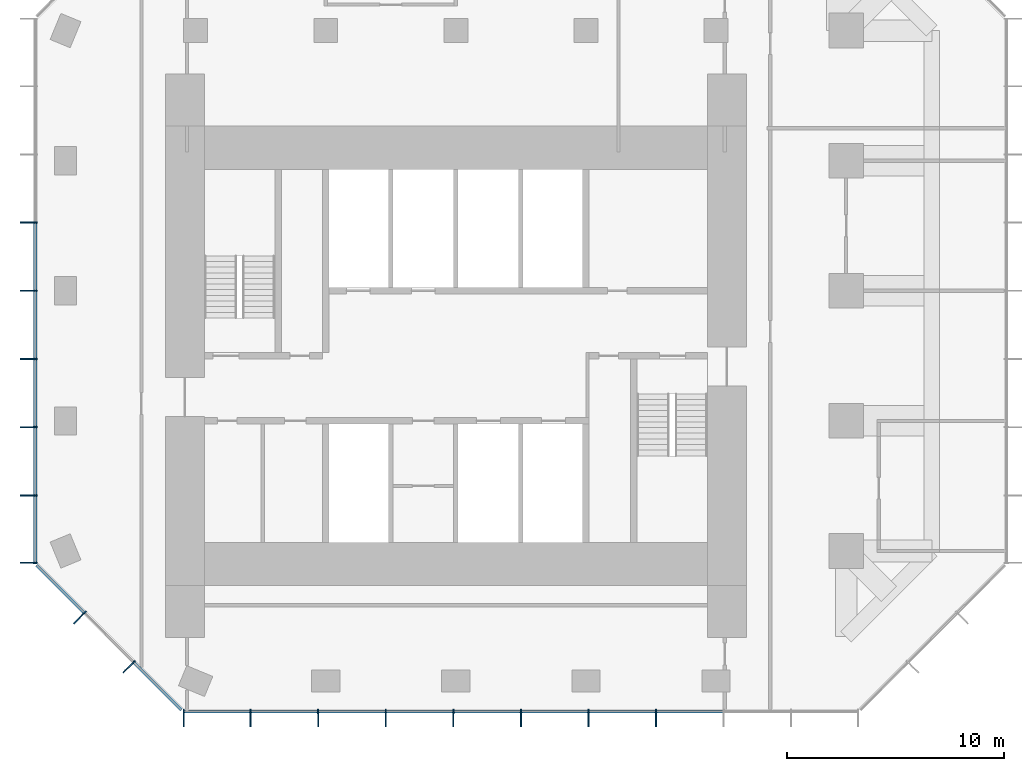
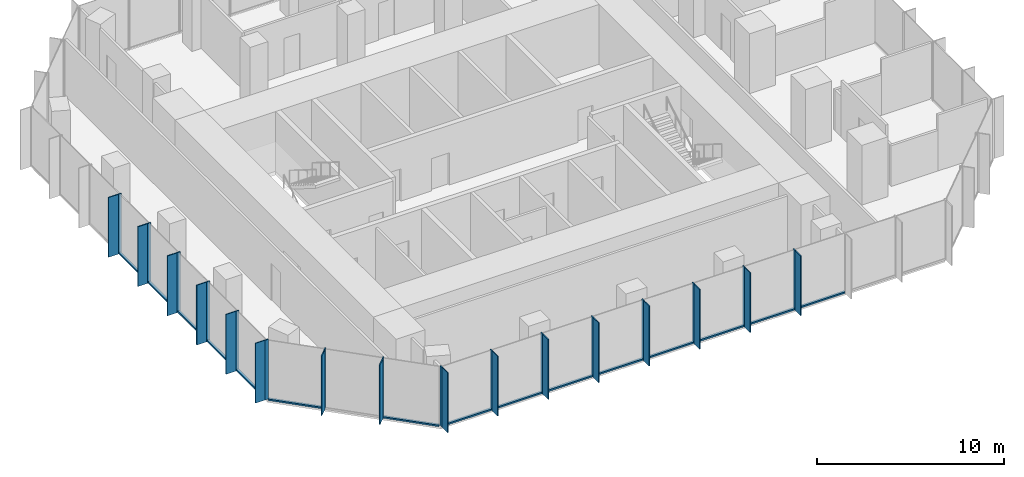
# One storey, part 2 of 10: 47 members, 3 elements without a shape of their own.
"""IFC4 building model written with IfcOpenShell, lengths in metres."""

from ifc_helpers import new_model, si_unit, direction, frame, origin, origin_2d, place, context, subcontext, project, spatial, rectangle, extrude, material, layer, layer_set, material_profile, profile_set, type_object, element, aggregate, save


model = new_model("IFC4")

# Units and contexts
model_context = context("Model", 3, precision=1e-05, world=origin(), true_north=direction((0.0, 1.0)))
body_context = subcontext(model_context, "Body", "Model", "MODEL_VIEW")
ifc_project = project(units=[si_unit("LENGTHUNIT", "METRE"), si_unit("AREAUNIT", "SQUARE_METRE"), si_unit("VOLUMEUNIT", "CUBIC_METRE"), si_unit("PLANEANGLEUNIT", "RADIAN"), si_unit("MASSUNIT", "GRAM", prefix="KILO")], contexts=[model_context])

# Site, building, storey
site_placement = place(None, origin())
site = spatial("IfcSite", under=ifc_project, at=site_placement, CompositionType="ELEMENT")
building_placement = place(site_placement, origin())
building = spatial("IfcBuilding", under=site, at=building_placement, Name="Highveld Stack Headquarters", CompositionType="ELEMENT")
storey_placement = place(building_placement, frame((0.0, 0.0, 252.800048828125)))
storey = spatial("IfcBuildingStorey", under=building, at=storey_placement, Name="L62", CompositionType="ELEMENT", Elevation=252.800048828125)

# Curtain wall, members
ifc_material_1 = material(Name="Aluminium bronze anodised", Category="aluminium")
ifc_layer = layer(ifc_material_1, 0.199951171875)
ifc_layer_set = layer_set([ifc_layer], Name="Aluminium bronze anodised")
curtain_wall_type = type_object("IfcCurtainWallType", Name="CW5 EXECUTIVE UNITISED CURTAIN WALL", PredefinedType="NOTDEFINED", material=ifc_layer_set)
curtain_wall_1_placement = place(storey_placement, origin())
curtain_wall_1 = element("IfcCurtainWall", 1, at=curtain_wall_1_placement, inside=storey, type_object=curtain_wall_type, Name="Curtain wall CW5 L62 S", PredefinedType="NOTDEFINED")
ifc_material_2 = material(Name="Aluminium bronze anodised", Category="aluminium")
ifc_material_profile_1 = material_profile(ifc_material_2, rectangle(XDim=0.60009765625, YDim=0.06005859375, at=origin_2d()), Name="FIN 600x60")
ifc_profile_set_1 = profile_set([ifc_material_profile_1], Name="Aluminium bronze anodised")
member_type_1 = type_object("IfcMemberType", Name="CW5 BRONZE FIN 600x60", PredefinedType="USERDEFINED", material=ifc_profile_set_1)
member_1_placement = place(storey_placement, frame((-6.54736328125, -13.800048828125, 0.0), z_axis=(0.0, 0.0, 1.0), x_axis=(0.0, 1.0, 0.0)))
member_1 = element("IfcMember", 2, at=member_1_placement, type_object=member_type_1, Name="CW5 fin L62 1", ObjectType="FIN", PredefinedType="USERDEFINED", context=body_context, shape_type="SweptSolid", body=[
    extrude(rectangle(XDim=0.60009765625, YDim=0.06005859375, at=origin_2d()), origin(), (0.0, 0.0, 1.0), 3.89990234375),
])
member_2_placement = place(storey_placement, frame((-3.4638671875, -13.800048828125, 0.0), z_axis=(0.0, 0.0, 1.0), x_axis=(0.0, 1.0, 0.0)))
member_2 = element("IfcMember", 3, at=member_2_placement, type_object=member_type_1, Name="CW5 fin L62 2", ObjectType="FIN", PredefinedType="USERDEFINED", context=body_context, shape_type="SweptSolid", body=[
    extrude(rectangle(XDim=0.60009765625, YDim=0.06005859375, at=origin_2d()), origin(), (0.0, 0.0, 1.0), 3.89990234375),
])
member_3_placement = place(storey_placement, frame((-0.347900390625, -13.800048828125, 0.0), z_axis=(0.0, 0.0, 1.0), x_axis=(0.0, 1.0, 0.0)))
member_3 = element("IfcMember", 4, at=member_3_placement, type_object=member_type_1, Name="CW5 fin L62 3", ObjectType="FIN", PredefinedType="USERDEFINED", context=body_context, shape_type="SweptSolid", body=[
    extrude(rectangle(XDim=0.60009765625, YDim=0.06005859375, at=origin_2d()), origin(), (0.0, 0.0, 1.0), 3.89990234375),
])
member_4_placement = place(storey_placement, frame((2.76806640625, -13.800048828125, 0.0), z_axis=(0.0, 0.0, 1.0), x_axis=(0.0, 1.0, 0.0)))
member_4 = element("IfcMember", 5, at=member_4_placement, type_object=member_type_1, Name="CW5 fin L62 4", ObjectType="FIN", PredefinedType="USERDEFINED", context=body_context, shape_type="SweptSolid", body=[
    extrude(rectangle(XDim=0.60009765625, YDim=0.06005859375, at=origin_2d()), origin(), (0.0, 0.0, 1.0), 3.89990234375),
])
member_5_placement = place(storey_placement, frame((5.884033203125, -13.800048828125, 0.0), z_axis=(0.0, 0.0, 1.0), x_axis=(0.0, 1.0, 0.0)))
member_5 = element("IfcMember", 6, at=member_5_placement, type_object=member_type_1, Name="CW5 fin L62 5", ObjectType="FIN", PredefinedType="USERDEFINED", context=body_context, shape_type="SweptSolid", body=[
    extrude(rectangle(XDim=0.60009765625, YDim=0.06005859375, at=origin_2d()), origin(), (0.0, 0.0, 1.0), 3.89990234375),
])
member_6_placement = place(storey_placement, frame((9.0, -13.800048828125, 0.0), z_axis=(0.0, 0.0, 1.0), x_axis=(0.0, 1.0, 0.0)))
member_6 = element("IfcMember", 7, at=member_6_placement, type_object=member_type_1, Name="CW5 fin L62 6", ObjectType="FIN", PredefinedType="USERDEFINED", context=body_context, shape_type="SweptSolid", body=[
    extrude(rectangle(XDim=0.60009765625, YDim=0.06005859375, at=origin_2d()), origin(), (0.0, 0.0, 1.0), 3.89990234375),
])
member_7_placement = place(storey_placement, frame((12.115966796875, -13.800048828125, 0.0), z_axis=(0.0, 0.0, 1.0), x_axis=(0.0, 1.0, 0.0)))
member_7 = element("IfcMember", 8, at=member_7_placement, type_object=member_type_1, Name="CW5 fin L62 7", ObjectType="FIN", PredefinedType="USERDEFINED", context=body_context, shape_type="SweptSolid", body=[
    extrude(rectangle(XDim=0.60009765625, YDim=0.06005859375, at=origin_2d()), origin(), (0.0, 0.0, 1.0), 3.89990234375),
])
member_8_placement = place(storey_placement, frame((15.23193359375, -13.800048828125, 0.0), z_axis=(0.0, 0.0, 1.0), x_axis=(0.0, 1.0, 0.0)))
member_8 = element("IfcMember", 9, at=member_8_placement, type_object=member_type_1, Name="CW5 fin L62 8", ObjectType="FIN", PredefinedType="USERDEFINED", context=body_context, shape_type="SweptSolid", body=[
    extrude(rectangle(XDim=0.60009765625, YDim=0.06005859375, at=origin_2d()), origin(), (0.0, 0.0, 1.0), 3.89990234375),
])

curtain_wall_2_placement = place(storey_placement, origin())
curtain_wall_2 = element("IfcCurtainWall", 10, at=curtain_wall_2_placement, inside=storey, type_object=curtain_wall_type, Name="Curtain wall CW5 L62 W", PredefinedType="NOTDEFINED")
member_9_placement = place(storey_placement, frame((-13.800048828125, 9.14501953125, 0.0), z_axis=(0.0, 0.0, 1.0), x_axis=(1.0, 0.0, 0.0)))
member_9 = element("IfcMember", 11, at=member_9_placement, type_object=member_type_1, Name="CW5 fin L62 4", ObjectType="FIN", PredefinedType="USERDEFINED", context=body_context, shape_type="SweptSolid", body=[
    extrude(rectangle(XDim=0.60009765625, YDim=0.06005859375, at=origin_2d()), origin(), (0.0, 0.0, 1.0), 3.89990234375),
])
member_10_placement = place(storey_placement, frame((-13.800048828125, 6.0, 0.0), z_axis=(0.0, 0.0, 1.0), x_axis=(1.0, 0.0, 0.0)))
member_10 = element("IfcMember", 12, at=member_10_placement, type_object=member_type_1, Name="CW5 fin L62 5", ObjectType="FIN", PredefinedType="USERDEFINED", context=body_context, shape_type="SweptSolid", body=[
    extrude(rectangle(XDim=0.60009765625, YDim=0.06005859375, at=origin_2d()), origin(), (0.0, 0.0, 1.0), 3.89990234375),
])
member_11_placement = place(storey_placement, frame((-13.800048828125, 2.85498046875, 0.0), z_axis=(0.0, 0.0, 1.0), x_axis=(1.0, 0.0, 0.0)))
member_11 = element("IfcMember", 13, at=member_11_placement, type_object=member_type_1, Name="CW5 fin L62 6", ObjectType="FIN", PredefinedType="USERDEFINED", context=body_context, shape_type="SweptSolid", body=[
    extrude(rectangle(XDim=0.60009765625, YDim=0.06005859375, at=origin_2d()), origin(), (0.0, 0.0, 1.0), 3.89990234375),
])
member_12_placement = place(storey_placement, frame((-13.800048828125, -0.2900390625, 0.0), z_axis=(0.0, 0.0, 1.0), x_axis=(1.0, 0.0, 0.0)))
member_12 = element("IfcMember", 14, at=member_12_placement, type_object=member_type_1, Name="CW5 fin L62 7", ObjectType="FIN", PredefinedType="USERDEFINED", context=body_context, shape_type="SweptSolid", body=[
    extrude(rectangle(XDim=0.60009765625, YDim=0.06005859375, at=origin_2d()), origin(), (0.0, 0.0, 1.0), 3.89990234375),
])
member_13_placement = place(storey_placement, frame((-13.800048828125, -3.434814453125, 0.0), z_axis=(0.0, 0.0, 1.0), x_axis=(1.0, 0.0, 0.0)))
member_13 = element("IfcMember", 15, at=member_13_placement, type_object=member_type_1, Name="CW5 fin L62 8", ObjectType="FIN", PredefinedType="USERDEFINED", context=body_context, shape_type="SweptSolid", body=[
    extrude(rectangle(XDim=0.60009765625, YDim=0.06005859375, at=origin_2d()), origin(), (0.0, 0.0, 1.0), 3.89990234375),
])
member_14_placement = place(storey_placement, frame((-13.800048828125, -6.54736328125, 0.0), z_axis=(0.0, 0.0, 1.0), x_axis=(1.0, 0.0, 0.0)))
member_14 = element("IfcMember", 16, at=member_14_placement, type_object=member_type_1, Name="CW5 fin L62 9", ObjectType="FIN", PredefinedType="USERDEFINED", context=body_context, shape_type="SweptSolid", body=[
    extrude(rectangle(XDim=0.60009765625, YDim=0.06005859375, at=origin_2d()), origin(), (0.0, 0.0, 1.0), 3.89990234375),
])

curtain_wall_3_placement = place(storey_placement, origin())
curtain_wall_3 = element("IfcCurtainWall", 17, at=curtain_wall_3_placement, inside=storey, type_object=curtain_wall_type, Name="Curtain wall CW5 L62 SW", PredefinedType="NOTDEFINED")
member_15_placement = place(storey_placement, frame((-11.409423828125, -9.135986328125, 0.0), z_axis=(0.0, 0.0, 1.0), x_axis=(0.707106781187, 0.707106781187, 0.0)))
member_15 = element("IfcMember", 18, at=member_15_placement, type_object=member_type_1, Name="CW5 fin L62 1", ObjectType="FIN", PredefinedType="USERDEFINED", context=body_context, shape_type="SweptSolid", body=[
    extrude(rectangle(XDim=0.60009765625, YDim=0.06005859375, at=origin_2d()), origin(), (0.0, 0.0, 1.0), 3.89990234375),
])
member_16_placement = place(storey_placement, frame((-9.135986328125, -11.409423828125, 0.0), z_axis=(0.0, 0.0, 1.0), x_axis=(0.707106781187, 0.707106781187, 0.0)))
member_16 = element("IfcMember", 19, at=member_16_placement, type_object=member_type_1, Name="CW5 fin L62 2", ObjectType="FIN", PredefinedType="USERDEFINED", context=body_context, shape_type="SweptSolid", body=[
    extrude(rectangle(XDim=0.60009765625, YDim=0.06005859375, at=origin_2d()), origin(), (0.0, 0.0, 1.0), 3.89990234375),
])

# Member
ifc_material_3 = material(Name="Aluminium bronze anodised", Category="aluminium")
ifc_material_profile_2 = material_profile(ifc_material_3, rectangle(XDim=0.199951171875, YDim=0.06494140625, at=origin_2d()), Name="CW5 MULLION 65x200")
ifc_profile_set_2 = profile_set([ifc_material_profile_2], Name="Aluminium bronze anodised")
member_type_2 = type_object("IfcMemberType", Name="CW5 MULLION 65x200", PredefinedType="MULLION", material=ifc_profile_set_2)
member_17_placement = place(storey_placement, frame((-6.54736328125, -13.39990234375, 0.0), z_axis=(0.0, 0.0, 1.0), x_axis=(0.0, 1.0, 0.0)))
member_17 = element("IfcMember", 20, at=member_17_placement, type_object=member_type_2, Name="CW5 mullion L62 1", PredefinedType="MULLION", context=body_context, shape_type="SweptSolid", body=[
    extrude(rectangle(XDim=0.199951171875, YDim=0.06494140625, at=origin_2d()), origin(), (0.0, 0.0, 1.0), 3.89990234375),
])

member_18_placement = place(storey_placement, frame((-3.4638671875, -13.39990234375, 0.0), z_axis=(0.0, 0.0, 1.0), x_axis=(0.0, 1.0, 0.0)))
member_18 = element("IfcMember", 21, at=member_18_placement, type_object=member_type_2, Name="CW5 mullion L62 2", PredefinedType="MULLION", context=body_context, shape_type="SweptSolid", body=[
    extrude(rectangle(XDim=0.199951171875, YDim=0.06494140625, at=origin_2d()), origin(), (0.0, 0.0, 1.0), 3.89990234375),
])

member_19_placement = place(storey_placement, frame((-0.347900390625, -13.39990234375, 0.0), z_axis=(0.0, 0.0, 1.0), x_axis=(0.0, 1.0, 0.0)))
member_19 = element("IfcMember", 22, at=member_19_placement, type_object=member_type_2, Name="CW5 mullion L62 3", PredefinedType="MULLION", context=body_context, shape_type="SweptSolid", body=[
    extrude(rectangle(XDim=0.199951171875, YDim=0.06494140625, at=origin_2d()), origin(), (0.0, 0.0, 1.0), 3.89990234375),
])

member_20_placement = place(storey_placement, frame((2.76806640625, -13.39990234375, 0.0), z_axis=(0.0, 0.0, 1.0), x_axis=(0.0, 1.0, 0.0)))
member_20 = element("IfcMember", 23, at=member_20_placement, type_object=member_type_2, Name="CW5 mullion L62 4", PredefinedType="MULLION", context=body_context, shape_type="SweptSolid", body=[
    extrude(rectangle(XDim=0.199951171875, YDim=0.06494140625, at=origin_2d()), origin(), (0.0, 0.0, 1.0), 3.89990234375),
])

member_21_placement = place(storey_placement, frame((5.884033203125, -13.39990234375, 0.0), z_axis=(0.0, 0.0, 1.0), x_axis=(0.0, 1.0, 0.0)))
member_21 = element("IfcMember", 24, at=member_21_placement, type_object=member_type_2, Name="CW5 mullion L62 5", PredefinedType="MULLION", context=body_context, shape_type="SweptSolid", body=[
    extrude(rectangle(XDim=0.199951171875, YDim=0.06494140625, at=origin_2d()), origin(), (0.0, 0.0, 1.0), 3.89990234375),
])

member_22_placement = place(storey_placement, frame((9.0, -13.39990234375, 0.0), z_axis=(0.0, 0.0, 1.0), x_axis=(0.0, 1.0, 0.0)))
member_22 = element("IfcMember", 25, at=member_22_placement, type_object=member_type_2, Name="CW5 mullion L62 6", PredefinedType="MULLION", context=body_context, shape_type="SweptSolid", body=[
    extrude(rectangle(XDim=0.199951171875, YDim=0.06494140625, at=origin_2d()), origin(), (0.0, 0.0, 1.0), 3.89990234375),
])

member_23_placement = place(storey_placement, frame((12.115966796875, -13.39990234375, 0.0), z_axis=(0.0, 0.0, 1.0), x_axis=(0.0, 1.0, 0.0)))
member_23 = element("IfcMember", 26, at=member_23_placement, type_object=member_type_2, Name="CW5 mullion L62 7", PredefinedType="MULLION", context=body_context, shape_type="SweptSolid", body=[
    extrude(rectangle(XDim=0.199951171875, YDim=0.06494140625, at=origin_2d()), origin(), (0.0, 0.0, 1.0), 3.89990234375),
])

member_24_placement = place(storey_placement, frame((15.23193359375, -13.39990234375, 0.0), z_axis=(0.0, 0.0, 1.0), x_axis=(0.0, 1.0, 0.0)))
member_24 = element("IfcMember", 27, at=member_24_placement, type_object=member_type_2, Name="CW5 mullion L62 8", PredefinedType="MULLION", context=body_context, shape_type="SweptSolid", body=[
    extrude(rectangle(XDim=0.199951171875, YDim=0.06494140625, at=origin_2d()), origin(), (0.0, 0.0, 1.0), 3.89990234375),
])

member_25_placement = place(storey_placement, frame((-13.39990234375, 9.14501953125, 0.0), z_axis=(0.0, 0.0, 1.0), x_axis=(1.0, 0.0, 0.0)))
member_25 = element("IfcMember", 28, at=member_25_placement, type_object=member_type_2, Name="CW5 mullion L62 4", PredefinedType="MULLION", context=body_context, shape_type="SweptSolid", body=[
    extrude(rectangle(XDim=0.199951171875, YDim=0.06494140625, at=origin_2d()), origin(), (0.0, 0.0, 1.0), 3.89990234375),
])

member_26_placement = place(storey_placement, frame((-13.39990234375, 6.0, 0.0), z_axis=(0.0, 0.0, 1.0), x_axis=(1.0, 0.0, 0.0)))
member_26 = element("IfcMember", 29, at=member_26_placement, type_object=member_type_2, Name="CW5 mullion L62 5", PredefinedType="MULLION", context=body_context, shape_type="SweptSolid", body=[
    extrude(rectangle(XDim=0.199951171875, YDim=0.06494140625, at=origin_2d()), origin(), (0.0, 0.0, 1.0), 3.89990234375),
])

member_27_placement = place(storey_placement, frame((-13.39990234375, 2.85498046875, 0.0), z_axis=(0.0, 0.0, 1.0), x_axis=(1.0, 0.0, 0.0)))
member_27 = element("IfcMember", 30, at=member_27_placement, type_object=member_type_2, Name="CW5 mullion L62 6", PredefinedType="MULLION", context=body_context, shape_type="SweptSolid", body=[
    extrude(rectangle(XDim=0.199951171875, YDim=0.06494140625, at=origin_2d()), origin(), (0.0, 0.0, 1.0), 3.89990234375),
])

member_28_placement = place(storey_placement, frame((-13.39990234375, -0.2900390625, 0.0), z_axis=(0.0, 0.0, 1.0), x_axis=(1.0, 0.0, 0.0)))
member_28 = element("IfcMember", 31, at=member_28_placement, type_object=member_type_2, Name="CW5 mullion L62 7", PredefinedType="MULLION", context=body_context, shape_type="SweptSolid", body=[
    extrude(rectangle(XDim=0.199951171875, YDim=0.06494140625, at=origin_2d()), origin(), (0.0, 0.0, 1.0), 3.89990234375),
])

member_29_placement = place(storey_placement, frame((-13.39990234375, -3.434814453125, 0.0), z_axis=(0.0, 0.0, 1.0), x_axis=(1.0, 0.0, 0.0)))
member_29 = element("IfcMember", 32, at=member_29_placement, type_object=member_type_2, Name="CW5 mullion L62 8", PredefinedType="MULLION", context=body_context, shape_type="SweptSolid", body=[
    extrude(rectangle(XDim=0.199951171875, YDim=0.06494140625, at=origin_2d()), origin(), (0.0, 0.0, 1.0), 3.89990234375),
])

member_30_placement = place(storey_placement, frame((-13.39990234375, -6.54736328125, 0.0), z_axis=(0.0, 0.0, 1.0), x_axis=(1.0, 0.0, 0.0)))
member_30 = element("IfcMember", 33, at=member_30_placement, type_object=member_type_2, Name="CW5 mullion L62 9", PredefinedType="MULLION", context=body_context, shape_type="SweptSolid", body=[
    extrude(rectangle(XDim=0.199951171875, YDim=0.06494140625, at=origin_2d()), origin(), (0.0, 0.0, 1.0), 3.89990234375),
])

member_31_placement = place(storey_placement, frame((-11.126708984375, -8.853271484375, 0.0), z_axis=(0.0, 0.0, 1.0), x_axis=(0.707106781187, 0.707106781187, 0.0)))
member_31 = element("IfcMember", 34, at=member_31_placement, type_object=member_type_2, Name="CW5 mullion L62 1", PredefinedType="MULLION", context=body_context, shape_type="SweptSolid", body=[
    extrude(rectangle(XDim=0.199951171875, YDim=0.06494140625, at=origin_2d()), origin(), (0.0, 0.0, 1.0), 3.89990234375),
])

member_32_placement = place(storey_placement, frame((-8.853271484375, -11.126708984375, 0.0), z_axis=(0.0, 0.0, 1.0), x_axis=(0.707106781187, 0.707106781187, 0.0)))
member_32 = element("IfcMember", 35, at=member_32_placement, type_object=member_type_2, Name="CW5 mullion L62 2", PredefinedType="MULLION", context=body_context, shape_type="SweptSolid", body=[
    extrude(rectangle(XDim=0.199951171875, YDim=0.06494140625, at=origin_2d()), origin(), (0.0, 0.0, 1.0), 3.89990234375),
])

ifc_material_4 = material(Name="Aluminium bronze anodised", Category="aluminium")
ifc_material_profile_3 = material_profile(ifc_material_4, rectangle(XDim=0.14990234375, YDim=0.10009765625, at=origin_2d()), Name="CW5 TRANSOM 150x100")
ifc_profile_set_3 = profile_set([ifc_material_profile_3], Name="Aluminium bronze anodised")
member_type_3 = type_object("IfcMemberType", Name="CW5 STACK TRANSOM 150x100", PredefinedType="USERDEFINED", material=ifc_profile_set_3)
member_33_placement = place(storey_placement, frame((-6.514892578125, -13.39990234375, 0.050048828125), z_axis=(1.0, 0.0, 0.0), x_axis=(0.0, 1.0, 0.0)))
member_33 = element("IfcMember", 36, at=member_33_placement, type_object=member_type_3, Name="CW5 transom L62 1.1", ObjectType="TRANSOM", PredefinedType="USERDEFINED", context=body_context, shape_type="SweptSolid", body=[
    extrude(rectangle(XDim=0.14990234375, YDim=0.10009765625, at=origin_2d()), origin(), (0.0, 0.0, 1.0), 3.0185546875),
])

member_34_placement = place(storey_placement, frame((-3.431396484375, -13.39990234375, 0.050048828125), z_axis=(1.0, 0.0, 0.0), x_axis=(0.0, 1.0, 0.0)))
member_34 = element("IfcMember", 37, at=member_34_placement, type_object=member_type_3, Name="CW5 transom L62 2.1", ObjectType="TRANSOM", PredefinedType="USERDEFINED", context=body_context, shape_type="SweptSolid", body=[
    extrude(rectangle(XDim=0.14990234375, YDim=0.10009765625, at=origin_2d()), origin(), (0.0, 0.0, 1.0), 3.051025390625),
])

member_35_placement = place(storey_placement, frame((-0.3154296875, -13.39990234375, 0.050048828125), z_axis=(1.0, 0.0, 0.0), x_axis=(0.0, 1.0, 0.0)))
member_35 = element("IfcMember", 38, at=member_35_placement, type_object=member_type_3, Name="CW5 transom L62 3.1", ObjectType="TRANSOM", PredefinedType="USERDEFINED", context=body_context, shape_type="SweptSolid", body=[
    extrude(rectangle(XDim=0.14990234375, YDim=0.10009765625, at=origin_2d()), origin(), (0.0, 0.0, 1.0), 3.051025390625),
])

member_36_placement = place(storey_placement, frame((2.800537109375, -13.39990234375, 0.050048828125), z_axis=(1.0, 0.0, 0.0), x_axis=(0.0, 1.0, 0.0)))
member_36 = element("IfcMember", 39, at=member_36_placement, type_object=member_type_3, Name="CW5 transom L62 4.1", ObjectType="TRANSOM", PredefinedType="USERDEFINED", context=body_context, shape_type="SweptSolid", body=[
    extrude(rectangle(XDim=0.14990234375, YDim=0.10009765625, at=origin_2d()), origin(), (0.0, 0.0, 1.0), 3.051025390625),
])

member_37_placement = place(storey_placement, frame((5.91650390625, -13.39990234375, 0.050048828125), z_axis=(1.0, 0.0, 0.0), x_axis=(0.0, 1.0, 0.0)))
member_37 = element("IfcMember", 40, at=member_37_placement, type_object=member_type_3, Name="CW5 transom L62 5.1", ObjectType="TRANSOM", PredefinedType="USERDEFINED", context=body_context, shape_type="SweptSolid", body=[
    extrude(rectangle(XDim=0.14990234375, YDim=0.10009765625, at=origin_2d()), origin(), (0.0, 0.0, 1.0), 3.051025390625),
])

member_38_placement = place(storey_placement, frame((9.032470703125, -13.39990234375, 0.050048828125), z_axis=(1.0, 0.0, 0.0), x_axis=(0.0, 1.0, 0.0)))
member_38 = element("IfcMember", 41, at=member_38_placement, type_object=member_type_3, Name="CW5 transom L62 6.1", ObjectType="TRANSOM", PredefinedType="USERDEFINED", context=body_context, shape_type="SweptSolid", body=[
    extrude(rectangle(XDim=0.14990234375, YDim=0.10009765625, at=origin_2d()), origin(), (0.0, 0.0, 1.0), 3.051025390625),
])

member_39_placement = place(storey_placement, frame((12.1484375, -13.39990234375, 0.050048828125), z_axis=(1.0, 0.0, 0.0), x_axis=(0.0, 1.0, 0.0)))
member_39 = element("IfcMember", 42, at=member_39_placement, type_object=member_type_3, Name="CW5 transom L62 7.1", ObjectType="TRANSOM", PredefinedType="USERDEFINED", context=body_context, shape_type="SweptSolid", body=[
    extrude(rectangle(XDim=0.14990234375, YDim=0.10009765625, at=origin_2d()), origin(), (0.0, 0.0, 1.0), 3.051025390625),
])

member_40_placement = place(storey_placement, frame((15.264404296875, -13.39990234375, 0.050048828125), z_axis=(1.0, 0.0, 0.0), x_axis=(0.0, 1.0, 0.0)))
member_40 = element("IfcMember", 43, at=member_40_placement, type_object=member_type_3, Name="CW5 transom L62 8.1", ObjectType="TRANSOM", PredefinedType="USERDEFINED", context=body_context, shape_type="SweptSolid", body=[
    extrude(rectangle(XDim=0.14990234375, YDim=0.10009765625, at=origin_2d()), origin(), (0.0, 0.0, 1.0), 3.051025390625),
])

aggregate(curtain_wall_1, [member_17, member_1, member_18, member_2, member_19, member_3, member_20, member_4, member_21, member_5, member_22, member_6, member_23, member_7, member_24, member_8, member_33, member_34, member_35, member_36, member_37, member_38, member_39, member_40])

member_41_placement = place(storey_placement, frame((-13.39990234375, 9.112548828125, 0.050048828125), z_axis=(0.0, -1.0, 0.0), x_axis=(1.0, 0.0, 0.0)))
member_41 = element("IfcMember", 44, at=member_41_placement, type_object=member_type_3, Name="CW5 transom L62 4.1", ObjectType="TRANSOM", PredefinedType="USERDEFINED", context=body_context, shape_type="SweptSolid", body=[
    extrude(rectangle(XDim=0.14990234375, YDim=0.10009765625, at=origin_2d()), origin(), (0.0, 0.0, 1.0), 3.080078125),
])

member_42_placement = place(storey_placement, frame((-13.39990234375, 5.967529296875, 0.050048828125), z_axis=(0.0, -1.0, 0.0), x_axis=(1.0, 0.0, 0.0)))
member_42 = element("IfcMember", 45, at=member_42_placement, type_object=member_type_3, Name="CW5 transom L62 5.1", ObjectType="TRANSOM", PredefinedType="USERDEFINED", context=body_context, shape_type="SweptSolid", body=[
    extrude(rectangle(XDim=0.14990234375, YDim=0.10009765625, at=origin_2d()), origin(), (0.0, 0.0, 1.0), 3.080078125),
])

member_43_placement = place(storey_placement, frame((-13.39990234375, 2.822509765625, 0.050048828125), z_axis=(0.0, -1.0, 0.0), x_axis=(1.0, 0.0, 0.0)))
member_43 = element("IfcMember", 46, at=member_43_placement, type_object=member_type_3, Name="CW5 transom L62 6.1", ObjectType="TRANSOM", PredefinedType="USERDEFINED", context=body_context, shape_type="SweptSolid", body=[
    extrude(rectangle(XDim=0.14990234375, YDim=0.10009765625, at=origin_2d()), origin(), (0.0, 0.0, 1.0), 3.080078125),
])

member_44_placement = place(storey_placement, frame((-13.39990234375, -0.322509765625, 0.050048828125), z_axis=(0.0, -1.0, 0.0), x_axis=(1.0, 0.0, 0.0)))
member_44 = element("IfcMember", 47, at=member_44_placement, type_object=member_type_3, Name="CW5 transom L62 7.1", ObjectType="TRANSOM", PredefinedType="USERDEFINED", context=body_context, shape_type="SweptSolid", body=[
    extrude(rectangle(XDim=0.14990234375, YDim=0.10009765625, at=origin_2d()), origin(), (0.0, 0.0, 1.0), 3.079833984375),
])

member_45_placement = place(storey_placement, frame((-13.39990234375, -3.46728515625, 0.050048828125), z_axis=(0.0, -1.0, 0.0), x_axis=(1.0, 0.0, 0.0)))
member_45 = element("IfcMember", 48, at=member_45_placement, type_object=member_type_3, Name="CW5 transom L62 8.1", ObjectType="TRANSOM", PredefinedType="USERDEFINED", context=body_context, shape_type="SweptSolid", body=[
    extrude(rectangle(XDim=0.14990234375, YDim=0.10009765625, at=origin_2d()), origin(), (0.0, 0.0, 1.0), 3.047607421875),
])

aggregate(curtain_wall_2, [member_25, member_9, member_26, member_10, member_27, member_11, member_28, member_12, member_29, member_13, member_30, member_14, member_41, member_42, member_43, member_44, member_45])

member_46_placement = place(storey_placement, frame((-13.329345703125, -6.650634765625, 0.050048828125), z_axis=(0.707106781187, -0.707106781187, 0.0), x_axis=(0.707106781187, 0.707106781187, 0.0)))
member_46 = element("IfcMember", 49, at=member_46_placement, type_object=member_type_3, Name="CW5 transom L62 1.1", ObjectType="TRANSOM", PredefinedType="USERDEFINED", context=body_context, shape_type="SweptSolid", body=[
    extrude(rectangle(XDim=0.14990234375, YDim=0.10009765625, at=origin_2d()), origin(), (0.0, 0.0, 1.0), 3.08251953125),
])

member_47_placement = place(storey_placement, frame((-8.830322265625, -11.149658203125, 0.050048828125), z_axis=(0.707106781187, -0.707106781187, 0.0), x_axis=(0.707106781187, 0.707106781187, 0.0)))
member_47 = element("IfcMember", 50, at=member_47_placement, type_object=member_type_3, Name="CW5 transom L62 3.1", ObjectType="TRANSOM", PredefinedType="USERDEFINED", context=body_context, shape_type="SweptSolid", body=[
    extrude(rectangle(XDim=0.14990234375, YDim=0.10009765625, at=origin_2d()), origin(), (0.0, 0.0, 1.0), 3.08251953125),
])

aggregate(curtain_wall_3, [member_31, member_15, member_32, member_16, member_46, member_47])

save(model, "model.ifc")
